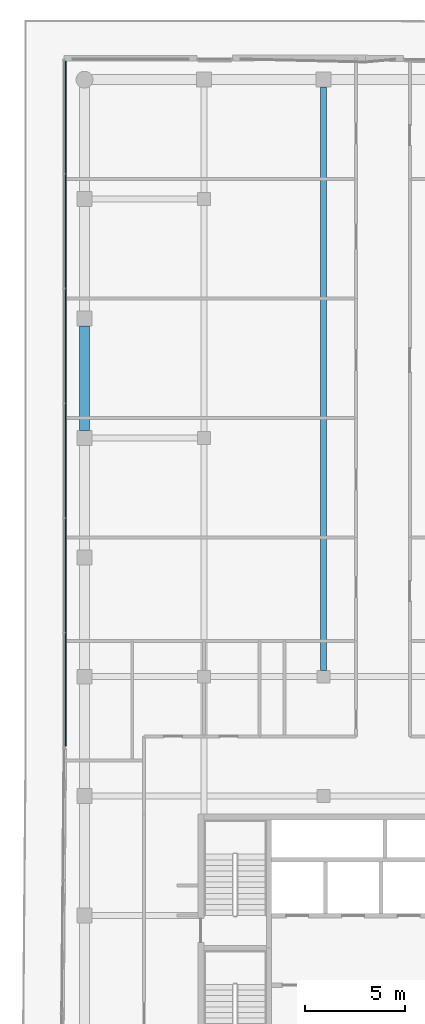
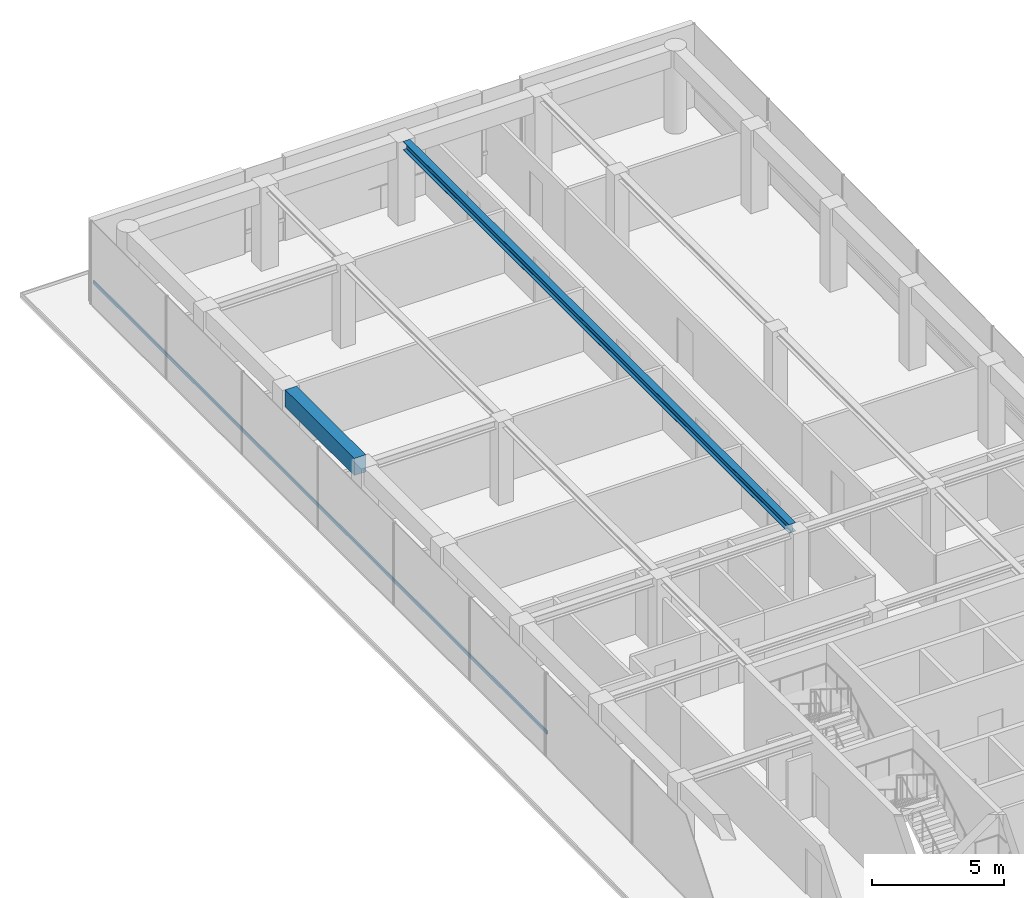
# One storey, part 9 of 18: 2 beams, 1 member, 1 element without a shape of its own.
"""IFC4 building model written with IfcOpenShell, lengths in metres."""

from ifc_helpers import new_model, si_unit, direction, frame, origin, origin_2d, place, context, subcontext, project, spatial, rectangle, i_section, extrude, material, layer, layer_set, material_profile, profile_set, type_object, element, aggregate, save


model = new_model("IFC4")

# Units and contexts
model_context = context("Model", 3, precision=1e-05, world=origin(), true_north=direction((0.0, 1.0)))
body_context = subcontext(model_context, "Body", "Model", "MODEL_VIEW")
ifc_project = project(units=[si_unit("LENGTHUNIT", "METRE"), si_unit("AREAUNIT", "SQUARE_METRE"), si_unit("VOLUMEUNIT", "CUBIC_METRE"), si_unit("PLANEANGLEUNIT", "RADIAN"), si_unit("MASSUNIT", "GRAM", prefix="KILO")], contexts=[model_context])

# Site, building, storey
site_placement = place(None, origin())
site = spatial("IfcSite", under=ifc_project, at=site_placement, CompositionType="ELEMENT")
building_placement = place(site_placement, origin())
building = spatial("IfcBuilding", under=site, at=building_placement, Name="Welwitschia Terrace Campus", CompositionType="ELEMENT")
storey_placement = place(building_placement, frame((0.0, 0.0, 285.199951171875)))
storey = spatial("IfcBuildingStorey", under=building, at=storey_placement, Name="L63", CompositionType="ELEMENT", Elevation=285.199951171875)

# Beams
ifc_material_1 = material(Name="Steel S355", Category="steel")
ifc_material_profile_1 = material_profile(ifc_material_1, i_section(OverallWidth=0.300048828125, OverallDepth=0.39990234375, WebThickness=0.013427734375, FlangeThickness=0.02392578125, FilletRadius=0.027099609375, at=origin_2d()))
ifc_profile_set_1 = profile_set([ifc_material_profile_1], Name="Steel S355")
beam_type_1 = type_object("IfcBeamType", Name="Primary beam HE 400 B", PredefinedType="BEAM", material=ifc_profile_set_1)
beam_1_placement = place(storey_placement, frame((12.0, 61.62451171875, 3.650146484375), z_axis=(0.0, -1.0, 0.0), x_axis=(1.0, 0.0, 0.0)))
element("IfcBeam", 1, at=beam_1_placement, inside=storey, type_object=beam_type_1, Name="Primary beam PB6", PredefinedType="BEAM", context=body_context, shape_type="SweptSolid", body=[
    extrude(i_section(OverallWidth=0.300048828125, OverallDepth=0.39990234375, WebThickness=0.013427734375, FlangeThickness=0.02392578125, FilletRadius=0.027099609375, at=origin_2d()), origin(), (0.0, 0.0, 1.0), 29.299072265625),
])
ifc_material_2 = material(Name="Concrete C50/60", Category="concrete")
ifc_material_profile_2 = material_profile(ifc_material_2, rectangle(XDim=0.5, YDim=0.800048828125, at=origin_2d()))
ifc_profile_set_2 = profile_set([ifc_material_profile_2], Name="Concrete C50/60")
beam_type_2 = type_object("IfcBeamType", Name="Ring spandrel 500x800", PredefinedType="SPANDREL", material=ifc_profile_set_2)
beam_2_placement = place(storey_placement, frame((0.0, 49.62451171875, 3.449951171875), z_axis=(0.0, -1.0, 0.0), x_axis=(1.0, 0.0, 0.0)))
element("IfcBeam", 2, at=beam_2_placement, inside=storey, type_object=beam_type_2, Name="Spandrel SP4", PredefinedType="SPANDREL", context=body_context, shape_type="SweptSolid", body=[
    extrude(rectangle(XDim=0.5, YDim=0.800048828125, at=origin_2d()), origin(), (0.0, 0.0, 1.0), 5.2490234375),
])

# Curtain wall, member
ifc_material_3 = material(Name="Bronze anodised aluminium", Category="aluminium")
ifc_layer = layer(ifc_material_3, 0.1201171875)
ifc_layer_set = layer_set([ifc_layer], Name="Bronze anodised aluminium")
curtain_wall_type = type_object("IfcCurtainWallType", Name="Curtain wall CW2 tower 6000", PredefinedType="NOTDEFINED", material=ifc_layer_set)
curtain_wall_placement = place(storey_placement, origin())
curtain_wall = element("IfcCurtainWall", 3, at=curtain_wall_placement, inside=storey, type_object=curtain_wall_type, Name="CW L63.1.0", PredefinedType="NOTDEFINED")
ifc_material_4 = material(Name="Bronze anodised aluminium", Category="aluminium")
ifc_material_profile_3 = material_profile(ifc_material_4, rectangle(XDim=0.06005859375, YDim=0.14990234375, at=origin_2d()))
ifc_profile_set_3 = profile_set([ifc_material_profile_3], Name="Bronze anodised aluminium")
member_type = type_object("IfcMemberType", Name="Transom 60x150", PredefinedType="USERDEFINED", material=ifc_profile_set_3)
member_placement = place(storey_placement, frame((-0.93994140625, 62.969970703125, 1.0), z_axis=(0.0, -1.0, 0.0), x_axis=(1.0, 0.0, 0.0)))
member = element("IfcMember", 4, at=member_placement, type_object=member_type, Name="Transom L63.1.0", ObjectType="TRANSOM", PredefinedType="USERDEFINED", context=body_context, shape_type="SweptSolid", body=[
    extrude(rectangle(XDim=0.06005859375, YDim=0.14990234375, at=origin_2d()), origin(), (0.0, 0.0, 1.0), 34.456298828125),
])
aggregate(curtain_wall, [member])

save(model, "model.ifc")
